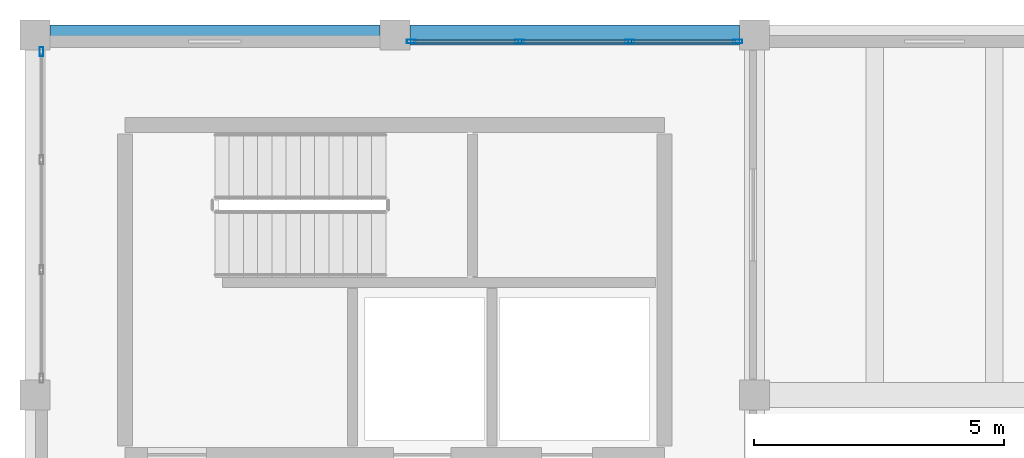
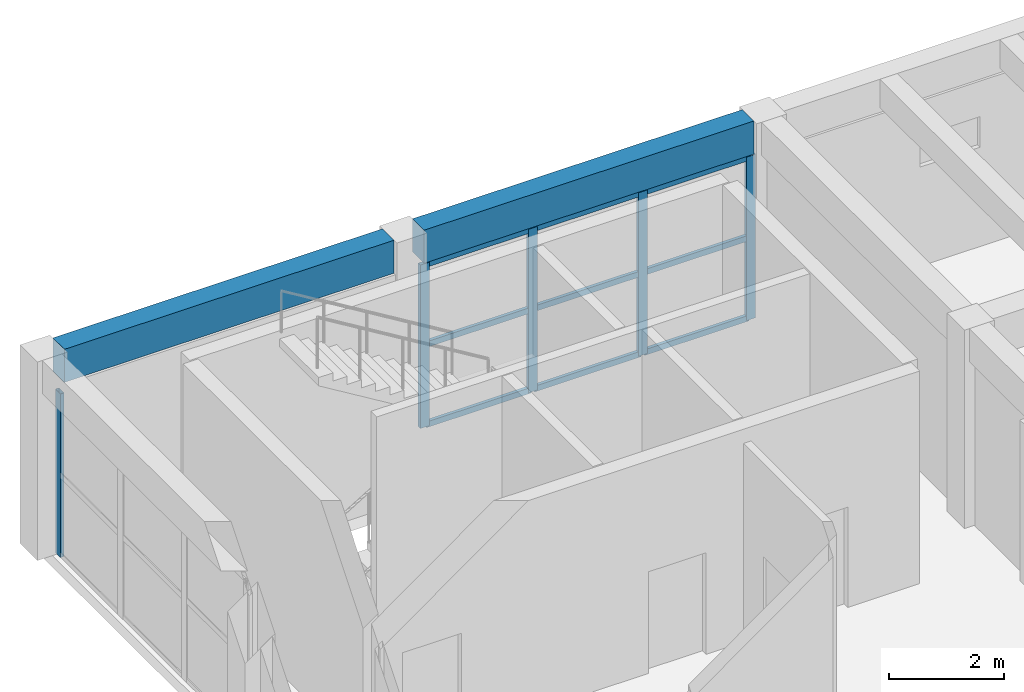
# One storey, part 84 of 153: 14 members, 2 beams, 2 elements without a shape of their own.
"""IFC4 building model written with IfcOpenShell, lengths in metres."""

from ifc_helpers import new_model, si_unit, direction, frame, origin, origin_2d, place, context, subcontext, project, spatial, rectangle, hollow_rectangle, extrude, material, material_profile, profile_set, type_object, element, aggregate, save


model = new_model("IFC4")

# Units and contexts
model_context = context("Model", 3, precision=1e-05, world=origin(), true_north=direction((0.0, 1.0)))
body_context = subcontext(model_context, "Body", "Model", "MODEL_VIEW")
ifc_project = project(units=[si_unit("LENGTHUNIT", "METRE"), si_unit("AREAUNIT", "SQUARE_METRE"), si_unit("VOLUMEUNIT", "CUBIC_METRE"), si_unit("PLANEANGLEUNIT", "RADIAN"), si_unit("MASSUNIT", "GRAM", prefix="KILO")], contexts=[model_context])

# Site, building, storey
site_placement = place(None, origin())
site = spatial("IfcSite", under=ifc_project, at=site_placement, CompositionType="ELEMENT")
building_placement = place(site_placement, origin())
building = spatial("IfcBuilding", under=site, at=building_placement, Name="Bramvelor Terrace Health Centre", CompositionType="ELEMENT")
storey_placement = place(building_placement, frame((0.0, 0.0, 4.800048828125)))
storey = spatial("IfcBuildingStorey", under=building, at=storey_placement, Name="L02", CompositionType="ELEMENT", Elevation=4.800048828125)

# Beams
ifc_material_1 = material(Name="Concrete C40/50", Category="concrete")
ifc_material_profile_1 = material_profile(ifc_material_1, rectangle(XDim=0.39990234375, YDim=0.699951171875, at=origin_2d()), Name="RC 400x700")
ifc_profile_set_1 = profile_set([ifc_material_profile_1], Name="Concrete C40/50")
beam_type = type_object("IfcBeamType", Name="BM-RC-SP700-EXT", PredefinedType="SPANDREL", material=ifc_profile_set_1)
beam_1_placement = place(storey_placement, frame((0.300048828125, 115.199951171875, 3.849853515625), z_axis=(1.0, 0.0, 0.0), x_axis=(0.0, 1.0, 0.0)))
element("IfcBeam", 1, at=beam_1_placement, inside=storey, type_object=beam_type, Name="L02 Floor Girder", PredefinedType="SPANDREL", context=body_context, shape_type="SweptSolid", body=[
    extrude(rectangle(XDim=0.39990234375, YDim=0.699951171875, at=origin_2d()), origin(), (0.0, 0.0, 1.0), 6.599853515625),
])
beam_2_placement = place(storey_placement, frame((7.5, 115.199951171875, 3.849853515625), z_axis=(1.0, 0.0, 0.0), x_axis=(0.0, 1.0, 0.0)))
element("IfcBeam", 2, at=beam_2_placement, inside=storey, type_object=beam_type, Name="L02 Floor Girder", PredefinedType="SPANDREL", context=body_context, shape_type="SweptSolid", body=[
    extrude(rectangle(XDim=0.39990234375, YDim=0.699951171875, at=origin_2d()), origin(), (0.0, 0.0, 1.0), 6.60009765625),
])

# Curtain wall, member
ifc_material_2 = material(Name="Anodized aluminium and double low-E glass", Category="aluminium")
curtain_wall_type = type_object("IfcCurtainWallType", Name="CW-SYS-13", PredefinedType="NOTDEFINED", material=ifc_material_2)
curtain_wall_1_placement = place(storey_placement, origin())
curtain_wall_1 = element("IfcCurtainWall", 3, at=curtain_wall_1_placement, inside=storey, type_object=curtain_wall_type, Name="L02 Unitized Curtain Wall 79", PredefinedType="NOTDEFINED")
ifc_material_3 = material(Name="Anodized aluminium 6063-T6", Category="aluminium")
ifc_material_profile_2 = material_profile(ifc_material_3, hollow_rectangle(XDim=0.074951171875, YDim=0.179931640625, WallThickness=0.00341796875, at=origin_2d()), Name="ALU-MUL 75x180x3.5")
ifc_profile_set_2 = profile_set([ifc_material_profile_2], Name="Anodized aluminium 6063-T6")
member_type_1 = type_object("IfcMemberType", Name="CW-MUL-65x180", PredefinedType="MULLION", material=ifc_profile_set_2)
member_1_placement = place(storey_placement, frame((0.1298828125, 114.867431640625, 0.0), z_axis=(0.0, 0.0, 1.0), x_axis=(-1.0, 0.0, 0.0)))
member_1 = element("IfcMember", 4, at=member_1_placement, type_object=member_type_1, Name="CW-13 mullion 4", PredefinedType="MULLION", context=body_context, shape_type="SweptSolid", body=[
    extrude(hollow_rectangle(XDim=0.074951171875, YDim=0.179931640625, WallThickness=0.00341796875, at=origin_2d()), origin(), (0.0, 0.0, 1.0), 3.4599609375),
])
aggregate(curtain_wall_1, [member_1])

# Curtain wall, members
curtain_wall_2_placement = place(storey_placement, origin())
curtain_wall_2 = element("IfcCurtainWall", 5, at=curtain_wall_2_placement, inside=storey, type_object=curtain_wall_type, Name="L02 Unitized Curtain Wall 80", PredefinedType="NOTDEFINED")
member_2_placement = place(storey_placement, frame((7.532470703125, 115.070068359375, 0.0), z_axis=(0.0, 0.0, 1.0), x_axis=(0.0, 1.0, 0.0)))
member_2 = element("IfcMember", 6, at=member_2_placement, type_object=member_type_1, Name="CW-13 mullion 1", PredefinedType="MULLION", context=body_context, shape_type="SweptSolid", body=[
    extrude(hollow_rectangle(XDim=0.074951171875, YDim=0.179931640625, WallThickness=0.00341796875, at=origin_2d()), origin(), (0.0, 0.0, 1.0), 3.4599609375),
])
member_3_placement = place(storey_placement, frame((9.6982421875, 115.070068359375, 0.0), z_axis=(0.0, 0.0, 1.0), x_axis=(0.0, 1.0, 0.0)))
member_3 = element("IfcMember", 7, at=member_3_placement, type_object=member_type_1, Name="CW-13 mullion 2", PredefinedType="MULLION", context=body_context, shape_type="SweptSolid", body=[
    extrude(hollow_rectangle(XDim=0.074951171875, YDim=0.179931640625, WallThickness=0.00341796875, at=origin_2d()), origin(), (0.0, 0.0, 1.0), 3.4599609375),
])
member_4_placement = place(storey_placement, frame((11.901611328125, 115.070068359375, 0.0), z_axis=(0.0, 0.0, 1.0), x_axis=(0.0, 1.0, 0.0)))
member_4 = element("IfcMember", 8, at=member_4_placement, type_object=member_type_1, Name="CW-13 mullion 3", PredefinedType="MULLION", context=body_context, shape_type="SweptSolid", body=[
    extrude(hollow_rectangle(XDim=0.074951171875, YDim=0.179931640625, WallThickness=0.00341796875, at=origin_2d()), origin(), (0.0, 0.0, 1.0), 3.4599609375),
])
member_5_placement = place(storey_placement, frame((14.0673828125, 115.070068359375, 0.0), z_axis=(0.0, 0.0, 1.0), x_axis=(0.0, 1.0, 0.0)))
member_5 = element("IfcMember", 9, at=member_5_placement, type_object=member_type_1, Name="CW-13 mullion 4", PredefinedType="MULLION", context=body_context, shape_type="SweptSolid", body=[
    extrude(hollow_rectangle(XDim=0.074951171875, YDim=0.179931640625, WallThickness=0.00341796875, at=origin_2d()), origin(), (0.0, 0.0, 1.0), 3.4599609375),
])
ifc_material_4 = material(Name="Anodized aluminium 6063-T6", Category="aluminium")
ifc_material_profile_3 = material_profile(ifc_material_4, hollow_rectangle(XDim=0.06494140625, YDim=0.1201171875, WallThickness=0.0029296875, at=origin_2d()), Name="ALU-TRN 65x120x3.0")
ifc_profile_set_3 = profile_set([ifc_material_profile_3], Name="Anodized aluminium 6063-T6")
member_type_2 = type_object("IfcMemberType", Name="CW-TRN-65x150", PredefinedType="USERDEFINED", material=ifc_profile_set_3)
member_6_placement = place(storey_placement, frame((7.570068359375, 115.070068359375, 0.032470703125), z_axis=(1.0, 0.0, 0.0), x_axis=(0.0, 1.0, 0.0)))
member_6 = element("IfcMember", 10, at=member_6_placement, type_object=member_type_2, Name="CW-13 transom 1.1", ObjectType="TRANSOM", PredefinedType="USERDEFINED", context=body_context, shape_type="SweptSolid", body=[
    extrude(hollow_rectangle(XDim=0.06494140625, YDim=0.1201171875, WallThickness=0.0029296875, at=origin_2d()), origin(), (0.0, 0.0, 1.0), 2.0908203125),
])
member_7_placement = place(storey_placement, frame((7.570068359375, 115.070068359375, 1.72998046875), z_axis=(1.0, 0.0, 0.0), x_axis=(0.0, 1.0, 0.0)))
member_7 = element("IfcMember", 11, at=member_7_placement, type_object=member_type_2, Name="CW-13 transom 1.2", ObjectType="TRANSOM", PredefinedType="USERDEFINED", context=body_context, shape_type="SweptSolid", body=[
    extrude(hollow_rectangle(XDim=0.06494140625, YDim=0.1201171875, WallThickness=0.0029296875, at=origin_2d()), origin(), (0.0, 0.0, 1.0), 2.0908203125),
])
member_8_placement = place(storey_placement, frame((7.570068359375, 115.070068359375, 3.427490234375), z_axis=(1.0, 0.0, 0.0), x_axis=(0.0, 1.0, 0.0)))
member_8 = element("IfcMember", 12, at=member_8_placement, type_object=member_type_2, Name="CW-13 transom 1.3", ObjectType="TRANSOM", PredefinedType="USERDEFINED", context=body_context, shape_type="SweptSolid", body=[
    extrude(hollow_rectangle(XDim=0.06494140625, YDim=0.1201171875, WallThickness=0.0029296875, at=origin_2d()), origin(), (0.0, 0.0, 1.0), 2.0908203125),
])
member_9_placement = place(storey_placement, frame((9.73583984375, 115.070068359375, 0.032470703125), z_axis=(1.0, 0.0, 0.0), x_axis=(0.0, 1.0, 0.0)))
member_9 = element("IfcMember", 13, at=member_9_placement, type_object=member_type_2, Name="CW-13 transom 2.1", ObjectType="TRANSOM", PredefinedType="USERDEFINED", context=body_context, shape_type="SweptSolid", body=[
    extrude(hollow_rectangle(XDim=0.06494140625, YDim=0.1201171875, WallThickness=0.0029296875, at=origin_2d()), origin(), (0.0, 0.0, 1.0), 2.12841796875),
])
member_10_placement = place(storey_placement, frame((9.73583984375, 115.070068359375, 1.72998046875), z_axis=(1.0, 0.0, 0.0), x_axis=(0.0, 1.0, 0.0)))
member_10 = element("IfcMember", 14, at=member_10_placement, type_object=member_type_2, Name="CW-13 transom 2.2", ObjectType="TRANSOM", PredefinedType="USERDEFINED", context=body_context, shape_type="SweptSolid", body=[
    extrude(hollow_rectangle(XDim=0.06494140625, YDim=0.1201171875, WallThickness=0.0029296875, at=origin_2d()), origin(), (0.0, 0.0, 1.0), 2.12841796875),
])
member_11_placement = place(storey_placement, frame((9.73583984375, 115.070068359375, 3.427490234375), z_axis=(1.0, 0.0, 0.0), x_axis=(0.0, 1.0, 0.0)))
member_11 = element("IfcMember", 15, at=member_11_placement, type_object=member_type_2, Name="CW-13 transom 2.3", ObjectType="TRANSOM", PredefinedType="USERDEFINED", context=body_context, shape_type="SweptSolid", body=[
    extrude(hollow_rectangle(XDim=0.06494140625, YDim=0.1201171875, WallThickness=0.0029296875, at=origin_2d()), origin(), (0.0, 0.0, 1.0), 2.12841796875),
])
member_12_placement = place(storey_placement, frame((11.939208984375, 115.070068359375, 0.032470703125), z_axis=(1.0, 0.0, 0.0), x_axis=(0.0, 1.0, 0.0)))
member_12 = element("IfcMember", 16, at=member_12_placement, type_object=member_type_2, Name="CW-13 transom 3.1", ObjectType="TRANSOM", PredefinedType="USERDEFINED", context=body_context, shape_type="SweptSolid", body=[
    extrude(hollow_rectangle(XDim=0.06494140625, YDim=0.1201171875, WallThickness=0.0029296875, at=origin_2d()), origin(), (0.0, 0.0, 1.0), 2.0908203125),
])
member_13_placement = place(storey_placement, frame((11.939208984375, 115.070068359375, 1.72998046875), z_axis=(1.0, 0.0, 0.0), x_axis=(0.0, 1.0, 0.0)))
member_13 = element("IfcMember", 17, at=member_13_placement, type_object=member_type_2, Name="CW-13 transom 3.2", ObjectType="TRANSOM", PredefinedType="USERDEFINED", context=body_context, shape_type="SweptSolid", body=[
    extrude(hollow_rectangle(XDim=0.06494140625, YDim=0.1201171875, WallThickness=0.0029296875, at=origin_2d()), origin(), (0.0, 0.0, 1.0), 2.0908203125),
])
member_14_placement = place(storey_placement, frame((11.939208984375, 115.070068359375, 3.427490234375), z_axis=(1.0, 0.0, 0.0), x_axis=(0.0, 1.0, 0.0)))
member_14 = element("IfcMember", 18, at=member_14_placement, type_object=member_type_2, Name="CW-13 transom 3.3", ObjectType="TRANSOM", PredefinedType="USERDEFINED", context=body_context, shape_type="SweptSolid", body=[
    extrude(hollow_rectangle(XDim=0.06494140625, YDim=0.1201171875, WallThickness=0.0029296875, at=origin_2d()), origin(), (0.0, 0.0, 1.0), 2.0908203125),
])
aggregate(curtain_wall_2, [member_2, member_3, member_4, member_5, member_6, member_7, member_8, member_9, member_10, member_11, member_12, member_13, member_14])

save(model, "model.ifc")
